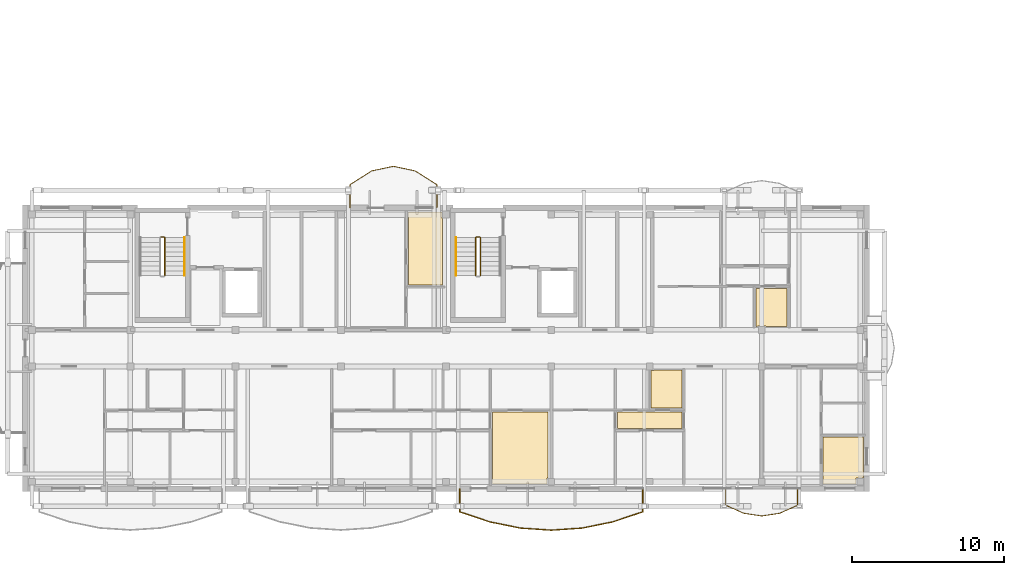
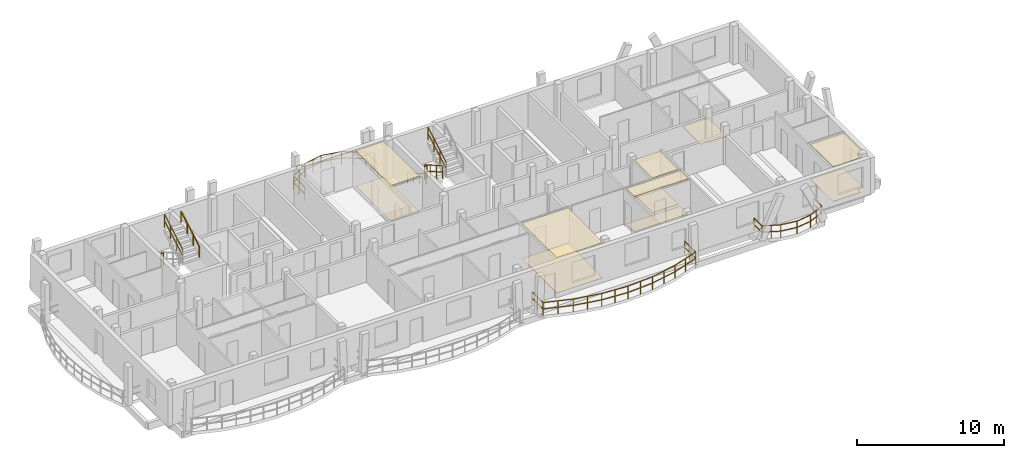
# One storey, part 34 of 41: 11 coverings, 10 railings.
"""IFC4 building model written with IfcOpenShell, lengths in metres."""

from ifc_helpers import new_model, si_unit, direction, frame, origin, origin_2d, place, context, subcontext, project, spatial, polyline, rectangle, outline, extrude, material, layer, layer_set, type_object, element, save


model = new_model("IFC4")

# Units and contexts
model_context = context("Model", 3, precision=1e-05, world=origin(), true_north=direction((0.0, 1.0)))
body_context = subcontext(model_context, "Body", "Model", "MODEL_VIEW")
ifc_project = project(units=[si_unit("LENGTHUNIT", "METRE"), si_unit("AREAUNIT", "SQUARE_METRE"), si_unit("VOLUMEUNIT", "CUBIC_METRE"), si_unit("PLANEANGLEUNIT", "RADIAN"), si_unit("MASSUNIT", "GRAM", prefix="KILO")], contexts=[model_context])

# Site, building, storey
site_placement = place(None, origin())
site = spatial("IfcSite", under=ifc_project, at=site_placement, CompositionType="ELEMENT")
building_placement = place(site_placement, origin())
building = spatial("IfcBuilding", under=site, at=building_placement, Name="Zavelmont Quarter", CompositionType="ELEMENT")
storey_placement = place(building_placement, frame((0.0, 0.0, 27.199951171875)))
storey = spatial("IfcBuildingStorey", under=building, at=storey_placement, Name="L08", CompositionType="ELEMENT", Elevation=27.199951171875)

# Coverings
ifc_material_1 = material(Name="Perforated acoustic gypsum board")
ifc_layer_1 = layer(ifc_material_1, 0.02490234375)
ifc_layer_set_1 = layer_set([ifc_layer_1], Name="Perforated acoustic gypsum board")
covering_type_1 = type_object("IfcCoveringType", Name="CV-CL01", PredefinedType="CEILING", material=ifc_layer_set_1)
covering_1_placement = place(storey_placement, frame((0.0, 0.0, 2.93505859375)))
element("IfcCovering", 1, at=covering_1_placement, inside=storey, type_object=covering_type_1, Name="L08 Master Bedroom acoustic ceiling", PredefinedType="CEILING", context=body_context, shape_type="SweptSolid", body=[
    extrude(outline(polyline([(30.6298828125, 5.02001953125), (34.27001953125, 5.02001953125), (34.27001953125, 0.705078125), (34.235107421875, 0.705078125), (34.235107421875, 0.280029296875), (30.6298828125, 0.280029296875), (30.6298828125, 5.02001953125)])), origin(), (0.0, 0.0, 1.0), 0.02490234375),
])
covering_2_placement = place(storey_placement, frame((0.0, 0.0, 2.885009765625)))
element("IfcCovering", 2, at=covering_2_placement, inside=storey, type_object=covering_type_1, Name="L08 Kitchen acoustic ceiling", PredefinedType="CEILING", context=body_context, shape_type="SweptSolid", body=[
    extrude(outline(polyline([(41.030029296875, 7.735107421875), (41.22509765625, 7.735107421875), (41.22509765625, 7.77001953125), (43.070068359375, 7.77001953125), (43.070068359375, 5.280029296875), (41.030029296875, 5.280029296875), (41.030029296875, 7.735107421875)])), origin(), (0.0, 0.0, 1.0), 0.025146484375),
])
covering_3_placement = place(storey_placement, frame((0.0, 0.0, 2.885009765625)))
element("IfcCovering", 3, at=covering_3_placement, inside=storey, type_object=covering_type_1, Name="L08 Single Bedroom acoustic ceiling", PredefinedType="CEILING", context=body_context, shape_type="SweptSolid", body=[
    extrude(outline(polyline([(52.330078125, 3.3701171875), (54.969970703125, 3.3701171875), (54.969970703125, 0.705078125), (54.4951171875, 0.705078125), (54.4951171875, 0.280029296875), (52.330078125, 0.280029296875), (52.330078125, 3.3701171875)])), origin(), (0.0, 0.0, 1.0), 0.025146484375),
])
covering_4_placement = place(storey_placement, frame((0.0, 0.0, 2.93505859375)))
element("IfcCovering", 4, at=covering_4_placement, inside=storey, type_object=covering_type_1, Name="L08 Reading Alcove acoustic ceiling", PredefinedType="CEILING", context=body_context, shape_type="SweptSolid", body=[
    extrude(outline(polyline([(25.1298828125, 18.1201171875), (27.3349609375, 18.1201171875), (27.3349609375, 17.695068359375), (27.3701171875, 17.695068359375), (27.3701171875, 13.330078125), (25.1298828125, 13.330078125), (25.1298828125, 18.1201171875)])), origin(), (0.0, 0.0, 1.0), 0.02490234375),
])
ifc_material_2 = material(Name="Slatted European ash acoustic baffle ceiling")
ifc_layer_2 = layer(ifc_material_2, 0.0400390625)
ifc_layer_set_2 = layer_set([ifc_layer_2], Name="Slatted European ash acoustic baffle ceiling")
covering_type_2 = type_object("IfcCoveringType", Name="CV-CL02", PredefinedType="CEILING", material=ifc_layer_set_2)
covering_5_placement = place(storey_placement, frame((0.0, 0.0, 2.920166015625)))
element("IfcCovering", 5, at=covering_5_placement, inside=storey, type_object=covering_type_2, Name="L08 Apartment Hall acoustic ceiling", PredefinedType="CEILING", context=body_context, shape_type="SweptSolid", body=[
    extrude(outline(polyline([(38.830078125, 5.02001953125), (43.070068359375, 5.02001953125), (43.070068359375, 3.929931640625), (38.830078125, 3.929931640625), (38.830078125, 5.02001953125)])), origin(), (0.0, 0.0, 1.0), 0.039794921875),
])
ifc_material_3 = material(Name="Engineered European oak parquet")
ifc_layer_3 = layer(ifc_material_3, 0.02197265625)
ifc_layer_set_3 = layer_set([ifc_layer_3], Name="Engineered European oak parquet")
covering_type_3 = type_object("IfcCoveringType", Name="CV-FL01", PredefinedType="FLOORING", material=ifc_layer_set_3)
covering_6_placement = place(storey_placement, origin())
element("IfcCovering", 6, at=covering_6_placement, inside=storey, type_object=covering_type_3, Name="L08 Master Bedroom floor finish", PredefinedType="FLOORING", context=body_context, shape_type="SweptSolid", body=[
    extrude(outline(polyline([(30.6298828125, 5.02001953125), (34.27001953125, 5.02001953125), (34.27001953125, 0.705078125), (34.235107421875, 0.705078125), (34.235107421875, 0.280029296875), (30.6298828125, 0.280029296875), (30.6298828125, 5.02001953125)])), origin(), (0.0, 0.0, 1.0), 0.02197265625),
])
covering_7_placement = place(storey_placement, origin())
element("IfcCovering", 7, at=covering_7_placement, inside=storey, type_object=covering_type_3, Name="L08 Kitchen floor finish", PredefinedType="FLOORING", context=body_context, shape_type="SweptSolid", body=[
    extrude(outline(polyline([(41.030029296875, 7.735107421875), (41.22509765625, 7.735107421875), (41.22509765625, 7.77001953125), (43.070068359375, 7.77001953125), (43.070068359375, 5.280029296875), (41.030029296875, 5.280029296875), (41.030029296875, 7.735107421875)])), origin(), (0.0, 0.0, 1.0), 0.02197265625),
])
covering_8_placement = place(storey_placement, origin())
element("IfcCovering", 8, at=covering_8_placement, inside=storey, type_object=covering_type_3, Name="L08 Single Bedroom floor finish", PredefinedType="FLOORING", context=body_context, shape_type="SweptSolid", body=[
    extrude(outline(polyline([(52.330078125, 3.3701171875), (54.969970703125, 3.3701171875), (54.969970703125, 0.705078125), (54.4951171875, 0.705078125), (54.4951171875, 0.280029296875), (52.330078125, 0.280029296875), (52.330078125, 3.3701171875)])), origin(), (0.0, 0.0, 1.0), 0.02197265625),
])
covering_9_placement = place(storey_placement, origin())
element("IfcCovering", 9, at=covering_9_placement, inside=storey, type_object=covering_type_3, Name="L08 Reading Alcove floor finish", PredefinedType="FLOORING", context=body_context, shape_type="SweptSolid", body=[
    extrude(outline(polyline([(25.1298828125, 18.1201171875), (27.3349609375, 18.1201171875), (27.3349609375, 17.695068359375), (27.3701171875, 17.695068359375), (27.3701171875, 13.330078125), (25.1298828125, 13.330078125), (25.1298828125, 18.1201171875)])), origin(), (0.0, 0.0, 1.0), 0.02197265625),
])
covering_10_placement = place(storey_placement, origin())
element("IfcCovering", 10, at=covering_10_placement, inside=storey, type_object=covering_type_3, Name="L08 Kitchen floor finish", PredefinedType="FLOORING", context=body_context, shape_type="SweptSolid", body=[
    extrude(outline(polyline([(47.929931640625, 13.1201171875), (49.969970703125, 13.1201171875), (49.969970703125, 10.6298828125), (48.56494140625, 10.6298828125), (48.56494140625, 10.6650390625), (48.034912109375, 10.6650390625), (48.034912109375, 10.6298828125), (47.929931640625, 10.6298828125), (47.929931640625, 13.1201171875)])), origin(), (0.0, 0.0, 1.0), 0.02197265625),
])
ifc_material_4 = material(Name="Honed Belgian bluestone tile", Category="masonry")
ifc_layer_4 = layer(ifc_material_4, 0.030029296875)
ifc_layer_set_4 = layer_set([ifc_layer_4], Name="Honed Belgian bluestone tile")
covering_type_4 = type_object("IfcCoveringType", Name="CV-FL02", PredefinedType="FLOORING", material=ifc_layer_set_4)
covering_11_placement = place(storey_placement, origin())
element("IfcCovering", 11, at=covering_11_placement, inside=storey, type_object=covering_type_4, Name="L08 Apartment Hall floor finish", PredefinedType="FLOORING", context=body_context, shape_type="SweptSolid", body=[
    extrude(outline(polyline([(38.830078125, 5.02001953125), (43.070068359375, 5.02001953125), (43.070068359375, 3.929931640625), (38.830078125, 3.929931640625), (38.830078125, 5.02001953125)])), origin(), (0.0, 0.0, 1.0), 0.030029296875),
])

# Railings
ifc_material_5 = material(Name="Powder-coated steel and tempered double safety glass", Category="steel")
railing_type_1 = type_object("IfcRailingType", Name="RL-BAL1", PredefinedType="BALUSTRADE", material=ifc_material_5)
railing_1_placement = place(storey_placement, frame((28.5, -0.02001953125, 0.0)))
element("IfcRailing", 12, at=railing_1_placement, inside=storey, type_object=railing_type_1, Name="L08 Block A curved balcony guard RL-BAL1", PredefinedType="BALUSTRADE", context=body_context, shape_type="SweptSolid", body=[
    extrude(rectangle(XDim=0.048095703125, YDim=0.048095703125, at=origin_2d()), frame((0.0, 0.0, 1.076171875), z_axis=(0.0, -1.0, 0.0), x_axis=(1.0, 0.0, 0.0)), (0.0, 0.0, 1.0), 1.510986328125),
    extrude(rectangle(XDim=0.048095703125, YDim=0.048095703125, at=origin_2d()), frame((0.0, 0.0, 0.550048828125), z_axis=(0.0, -1.0, 0.0), x_axis=(1.0, 0.0, 0.0)), (0.0, 0.0, 1.0), 1.510986328125),
    extrude(rectangle(XDim=0.048095703125, YDim=0.048095703125, at=origin_2d()), frame((0.0, -1.510986328125, 1.076171875), z_axis=(0.948463088057, -0.316887630861, 0.0), x_axis=(0.316887630861, 0.948463088057, 0.0)), (0.0, 0.0, 1.0), 2.108642578125),
    extrude(rectangle(XDim=0.048095703125, YDim=0.048095703125, at=origin_2d()), frame((0.0, -1.510986328125, 0.550048828125), z_axis=(0.948463088057, -0.316887630861, 0.0), x_axis=(0.316887630861, 0.948463088057, 0.0)), (0.0, 0.0, 1.0), 2.108642578125),
    extrude(rectangle(XDim=0.048095703125, YDim=0.048095703125, at=origin_2d()), frame((2.0, -2.17919921875, 1.076171875), z_axis=(0.980474655965, -0.196645490692, 0.0), x_axis=(0.196645490692, 0.980474655965, 0.0)), (0.0, 0.0, 1.0), 2.039794921875),
    extrude(rectangle(XDim=0.048095703125, YDim=0.048095703125, at=origin_2d()), frame((2.0, -2.17919921875, 0.550048828125), z_axis=(0.980474655965, -0.196645490692, 0.0), x_axis=(0.196645490692, 0.980474655965, 0.0)), (0.0, 0.0, 1.0), 2.039794921875),
    extrude(rectangle(XDim=0.048095703125, YDim=0.048095703125, at=origin_2d()), frame((4.0, -2.580322265625, 1.076171875), z_axis=(0.99777814618, -0.06662410229, 0.0), x_axis=(0.06662410229, 0.99777814618, 0.0)), (0.0, 0.0, 1.0), 2.00439453125),
    extrude(rectangle(XDim=0.048095703125, YDim=0.048095703125, at=origin_2d()), frame((4.0, -2.580322265625, 0.550048828125), z_axis=(0.99777814618, -0.06662410229, 0.0), x_axis=(0.06662410229, 0.99777814618, 0.0)), (0.0, 0.0, 1.0), 2.00439453125),
    extrude(rectangle(XDim=0.048095703125, YDim=0.048095703125, at=origin_2d()), frame((6.0, -2.7138671875, 1.076171875), z_axis=(0.99777814618, 0.06662410229, 0.0), x_axis=(-0.06662410229, 0.99777814618, 0.0)), (0.0, 0.0, 1.0), 2.00439453125),
    extrude(rectangle(XDim=0.048095703125, YDim=0.048095703125, at=origin_2d()), frame((6.0, -2.7138671875, 0.550048828125), z_axis=(0.99777814618, 0.06662410229, 0.0), x_axis=(-0.06662410229, 0.99777814618, 0.0)), (0.0, 0.0, 1.0), 2.00439453125),
    extrude(rectangle(XDim=0.048095703125, YDim=0.048095703125, at=origin_2d()), frame((8.0, -2.580322265625, 1.076171875), z_axis=(0.980474655965, 0.196645490692, 0.0), x_axis=(-0.196645490692, 0.980474655965, 0.0)), (0.0, 0.0, 1.0), 2.039794921875),
    extrude(rectangle(XDim=0.048095703125, YDim=0.048095703125, at=origin_2d()), frame((8.0, -2.580322265625, 0.550048828125), z_axis=(0.980474655965, 0.196645490692, 0.0), x_axis=(-0.196645490692, 0.980474655965, 0.0)), (0.0, 0.0, 1.0), 2.039794921875),
    extrude(rectangle(XDim=0.048095703125, YDim=0.048095703125, at=origin_2d()), frame((10.0, -2.17919921875, 1.076171875), z_axis=(0.948463088057, 0.316887630861, 0.0), x_axis=(-0.316887630861, 0.948463088057, 0.0)), (0.0, 0.0, 1.0), 2.108642578125),
    extrude(rectangle(XDim=0.048095703125, YDim=0.048095703125, at=origin_2d()), frame((10.0, -2.17919921875, 0.550048828125), z_axis=(0.948463088057, 0.316887630861, 0.0), x_axis=(-0.316887630861, 0.948463088057, 0.0)), (0.0, 0.0, 1.0), 2.108642578125),
    extrude(rectangle(XDim=0.048095703125, YDim=0.048095703125, at=origin_2d()), frame((12.0, -1.510986328125, 1.076171875), z_axis=(0.0, 1.0, 0.0), x_axis=(-1.0, 0.0, 0.0)), (0.0, 0.0, 1.0), 1.510986328125),
    extrude(rectangle(XDim=0.048095703125, YDim=0.048095703125, at=origin_2d()), frame((12.0, -1.510986328125, 0.550048828125), z_axis=(0.0, 1.0, 0.0), x_axis=(-1.0, 0.0, 0.0)), (0.0, 0.0, 1.0), 1.510986328125),
    extrude(rectangle(XDim=0.0419921875, YDim=0.0419921875, at=origin_2d()), origin(), (0.0, 0.0, 1.0), 1.052001953125),
    extrude(rectangle(XDim=0.0419921875, YDim=0.0419921875, at=origin_2d()), frame((0.0, -0.75537109375, 0.0)), (0.0, 0.0, 1.0), 1.052001953125),
    extrude(rectangle(XDim=0.0419921875, YDim=0.0419921875, at=origin_2d()), frame((0.0, -1.510986328125, 0.0)), (0.0, 0.0, 1.0), 1.052001953125),
    extrude(rectangle(XDim=0.0419921875, YDim=0.0419921875, at=origin_2d()), frame((1.0, -1.84521484375, 0.0)), (0.0, 0.0, 1.0), 1.052001953125),
    extrude(rectangle(XDim=0.0419921875, YDim=0.0419921875, at=origin_2d()), frame((2.0, -2.17919921875, 0.0)), (0.0, 0.0, 1.0), 1.052001953125),
    extrude(rectangle(XDim=0.0419921875, YDim=0.0419921875, at=origin_2d()), frame((3.0, -2.3798828125, 0.0)), (0.0, 0.0, 1.0), 1.052001953125),
    extrude(rectangle(XDim=0.0419921875, YDim=0.0419921875, at=origin_2d()), frame((4.0, -2.580322265625, 0.0)), (0.0, 0.0, 1.0), 1.052001953125),
    extrude(rectangle(XDim=0.0419921875, YDim=0.0419921875, at=origin_2d()), frame((5.0, -2.64697265625, 0.0)), (0.0, 0.0, 1.0), 1.052001953125),
    extrude(rectangle(XDim=0.0419921875, YDim=0.0419921875, at=origin_2d()), frame((6.0, -2.7138671875, 0.0)), (0.0, 0.0, 1.0), 1.052001953125),
    extrude(rectangle(XDim=0.0419921875, YDim=0.0419921875, at=origin_2d()), frame((7.0, -2.64697265625, 0.0)), (0.0, 0.0, 1.0), 1.052001953125),
    extrude(rectangle(XDim=0.0419921875, YDim=0.0419921875, at=origin_2d()), frame((8.0, -2.580322265625, 0.0)), (0.0, 0.0, 1.0), 1.052001953125),
    extrude(rectangle(XDim=0.0419921875, YDim=0.0419921875, at=origin_2d()), frame((9.0, -2.3798828125, 0.0)), (0.0, 0.0, 1.0), 1.052001953125),
    extrude(rectangle(XDim=0.0419921875, YDim=0.0419921875, at=origin_2d()), frame((10.0, -2.17919921875, 0.0)), (0.0, 0.0, 1.0), 1.052001953125),
    extrude(rectangle(XDim=0.0419921875, YDim=0.0419921875, at=origin_2d()), frame((11.0, -1.84521484375, 0.0)), (0.0, 0.0, 1.0), 1.052001953125),
    extrude(rectangle(XDim=0.0419921875, YDim=0.0419921875, at=origin_2d()), frame((12.0, -1.510986328125, 0.0)), (0.0, 0.0, 1.0), 1.052001953125),
    extrude(rectangle(XDim=0.0419921875, YDim=0.0419921875, at=origin_2d()), frame((12.0, -0.75537109375, 0.0)), (0.0, 0.0, 1.0), 1.052001953125),
    extrude(rectangle(XDim=0.0419921875, YDim=0.0419921875, at=origin_2d()), frame((12.0, 0.0, 0.0)), (0.0, 0.0, 1.0), 1.052001953125),
])
railing_2_placement = place(storey_placement, frame((45.947265625, -0.02001953125, 0.0)))
element("IfcRailing", 13, at=railing_2_placement, inside=storey, type_object=railing_type_1, Name="L08 Block A curved balcony guard RL-BAL1", PredefinedType="BALUSTRADE", context=body_context, shape_type="SweptSolid", body=[
    extrude(rectangle(XDim=0.048095703125, YDim=0.048095703125, at=origin_2d()), frame((0.0, 0.0, 1.076171875), z_axis=(0.0, -1.0, 0.0), x_axis=(1.0, 0.0, 0.0)), (0.0, 0.0, 1.0), 1.080078125),
    extrude(rectangle(XDim=0.048095703125, YDim=0.048095703125, at=origin_2d()), frame((0.0, 0.0, 0.550048828125), z_axis=(0.0, -1.0, 0.0), x_axis=(1.0, 0.0, 0.0)), (0.0, 0.0, 1.0), 1.080078125),
    extrude(rectangle(XDim=0.048095703125, YDim=0.048095703125, at=origin_2d()), frame((0.0, -1.080078125, 1.076171875), z_axis=(0.912141000851, -0.409876560158, 0.0), x_axis=(0.409876560158, 0.912141000851, 0.0)), (0.0, 0.0, 1.0), 1.28955078125),
    extrude(rectangle(XDim=0.048095703125, YDim=0.048095703125, at=origin_2d()), frame((0.0, -1.080078125, 0.550048828125), z_axis=(0.912141000851, -0.409876560158, 0.0), x_axis=(0.409876560158, 0.912141000851, 0.0)), (0.0, 0.0, 1.0), 1.28955078125),
    extrude(rectangle(XDim=0.048095703125, YDim=0.048095703125, at=origin_2d()), frame((1.17626953125, -1.608642578125, 1.076171875), z_axis=(0.988961928108, -0.148169851026, 0.0), x_axis=(0.148169851026, 0.988961928108, 0.0)), (0.0, 0.0, 1.0), 1.189697265625),
    extrude(rectangle(XDim=0.048095703125, YDim=0.048095703125, at=origin_2d()), frame((1.17626953125, -1.608642578125, 0.550048828125), z_axis=(0.988961928108, -0.148169851026, 0.0), x_axis=(0.148169851026, 0.988961928108, 0.0)), (0.0, 0.0, 1.0), 1.189697265625),
    extrude(rectangle(XDim=0.048095703125, YDim=0.048095703125, at=origin_2d()), frame((2.352783203125, -1.784912109375, 1.076171875), z_axis=(0.988957421243, 0.148199929045, 0.0), x_axis=(-0.148199929045, 0.988957421243, 0.0)), (0.0, 0.0, 1.0), 1.189453125),
    extrude(rectangle(XDim=0.048095703125, YDim=0.048095703125, at=origin_2d()), frame((2.352783203125, -1.784912109375, 0.550048828125), z_axis=(0.988957421243, 0.148199929045, 0.0), x_axis=(-0.148199929045, 0.988957421243, 0.0)), (0.0, 0.0, 1.0), 1.189453125),
    extrude(rectangle(XDim=0.048095703125, YDim=0.048095703125, at=origin_2d()), frame((3.529052734375, -1.608642578125, 1.076171875), z_axis=(0.912141000851, 0.409876560158, 0.0), x_axis=(-0.409876560158, 0.912141000851, 0.0)), (0.0, 0.0, 1.0), 1.28955078125),
    extrude(rectangle(XDim=0.048095703125, YDim=0.048095703125, at=origin_2d()), frame((3.529052734375, -1.608642578125, 0.550048828125), z_axis=(0.912141000851, 0.409876560158, 0.0), x_axis=(-0.409876560158, 0.912141000851, 0.0)), (0.0, 0.0, 1.0), 1.28955078125),
    extrude(rectangle(XDim=0.048095703125, YDim=0.048095703125, at=origin_2d()), frame((4.705322265625, -1.080078125, 1.076171875), z_axis=(0.0, 1.0, 0.0), x_axis=(-1.0, 0.0, 0.0)), (0.0, 0.0, 1.0), 1.080078125),
    extrude(rectangle(XDim=0.048095703125, YDim=0.048095703125, at=origin_2d()), frame((4.705322265625, -1.080078125, 0.550048828125), z_axis=(0.0, 1.0, 0.0), x_axis=(-1.0, 0.0, 0.0)), (0.0, 0.0, 1.0), 1.080078125),
    extrude(rectangle(XDim=0.0419921875, YDim=0.0419921875, at=origin_2d()), origin(), (0.0, 0.0, 1.0), 1.052001953125),
    extrude(rectangle(XDim=0.0419921875, YDim=0.0419921875, at=origin_2d()), frame((0.0, -1.080078125, 0.0)), (0.0, 0.0, 1.0), 1.052001953125),
    extrude(rectangle(XDim=0.0419921875, YDim=0.0419921875, at=origin_2d()), frame((0.588134765625, -1.34423828125, 0.0)), (0.0, 0.0, 1.0), 1.052001953125),
    extrude(rectangle(XDim=0.0419921875, YDim=0.0419921875, at=origin_2d()), frame((1.17626953125, -1.608642578125, 0.0)), (0.0, 0.0, 1.0), 1.052001953125),
    extrude(rectangle(XDim=0.0419921875, YDim=0.0419921875, at=origin_2d()), frame((2.352783203125, -1.784912109375, 0.0)), (0.0, 0.0, 1.0), 1.052001953125),
    extrude(rectangle(XDim=0.0419921875, YDim=0.0419921875, at=origin_2d()), frame((3.529052734375, -1.608642578125, 0.0)), (0.0, 0.0, 1.0), 1.052001953125),
    extrude(rectangle(XDim=0.0419921875, YDim=0.0419921875, at=origin_2d()), frame((4.1171875, -1.34423828125, 0.0)), (0.0, 0.0, 1.0), 1.052001953125),
    extrude(rectangle(XDim=0.0419921875, YDim=0.0419921875, at=origin_2d()), frame((4.705322265625, -1.080078125, 0.0)), (0.0, 0.0, 1.0), 1.052001953125),
    extrude(rectangle(XDim=0.0419921875, YDim=0.0419921875, at=origin_2d()), frame((4.705322265625, 0.0, 0.0)), (0.0, 0.0, 1.0), 1.052001953125),
])
railing_3_placement = place(storey_placement, frame((27.0, 18.419921875, 0.0)))
element("IfcRailing", 14, at=railing_3_placement, inside=storey, type_object=railing_type_1, Name="L08 Block A curved balcony guard RL-BAL1", PredefinedType="BALUSTRADE", context=body_context, shape_type="SweptSolid", body=[
    extrude(rectangle(XDim=0.048095703125, YDim=0.048095703125, at=origin_2d()), frame((0.0, 0.0, 1.076171875), z_axis=(0.0, 1.0, 0.0), x_axis=(-1.0, 0.0, 0.0)), (0.0, 0.0, 1.0), 1.510986328125),
    extrude(rectangle(XDim=0.048095703125, YDim=0.048095703125, at=origin_2d()), frame((0.0, 0.0, 0.550048828125), z_axis=(0.0, 1.0, 0.0), x_axis=(-1.0, 0.0, 0.0)), (0.0, 0.0, 1.0), 1.510986328125),
    extrude(rectangle(XDim=0.048095703125, YDim=0.048095703125, at=origin_2d()), frame((0.0, 1.510986328125, 1.076171875), z_axis=(-0.844869232838, 0.53497287726, 0.0), x_axis=(-0.53497287726, -0.844869232838, 0.0)), (0.0, 0.0, 1.0), 1.686767578125),
    extrude(rectangle(XDim=0.048095703125, YDim=0.048095703125, at=origin_2d()), frame((0.0, 1.510986328125, 0.550048828125), z_axis=(-0.844869232838, 0.53497287726, 0.0), x_axis=(-0.53497287726, -0.844869232838, 0.0)), (0.0, 0.0, 1.0), 1.686767578125),
    extrude(rectangle(XDim=0.048095703125, YDim=0.048095703125, at=origin_2d()), frame((-1.425048828125, 2.413330078125, 1.076171875), z_axis=(-0.978442941104, 0.206517338263, 0.0), x_axis=(-0.206517338263, -0.978442941104, 0.0)), (0.0, 0.0, 1.0), 1.45654296875),
    extrude(rectangle(XDim=0.048095703125, YDim=0.048095703125, at=origin_2d()), frame((-1.425048828125, 2.413330078125, 0.550048828125), z_axis=(-0.978442941104, 0.206517338263, 0.0), x_axis=(-0.206517338263, -0.978442941104, 0.0)), (0.0, 0.0, 1.0), 1.45654296875),
    extrude(rectangle(XDim=0.048095703125, YDim=0.048095703125, at=origin_2d()), frame((-2.85009765625, 2.714111328125, 1.076171875), z_axis=(-0.978435790122, -0.206551215461, 0.0), x_axis=(0.206551215461, -0.978435790122, 0.0)), (0.0, 0.0, 1.0), 1.456298828125),
    extrude(rectangle(XDim=0.048095703125, YDim=0.048095703125, at=origin_2d()), frame((-2.85009765625, 2.714111328125, 0.550048828125), z_axis=(-0.978435790122, -0.206551215461, 0.0), x_axis=(0.206551215461, -0.978435790122, 0.0)), (0.0, 0.0, 1.0), 1.456298828125),
    extrude(rectangle(XDim=0.048095703125, YDim=0.048095703125, at=origin_2d()), frame((-4.27490234375, 2.413330078125, 1.076171875), z_axis=(-0.844869232838, -0.53497287726, 0.0), x_axis=(0.53497287726, -0.844869232838, 0.0)), (0.0, 0.0, 1.0), 1.686767578125),
    extrude(rectangle(XDim=0.048095703125, YDim=0.048095703125, at=origin_2d()), frame((-4.27490234375, 2.413330078125, 0.550048828125), z_axis=(-0.844869232838, -0.53497287726, 0.0), x_axis=(0.53497287726, -0.844869232838, 0.0)), (0.0, 0.0, 1.0), 1.686767578125),
    extrude(rectangle(XDim=0.048095703125, YDim=0.048095703125, at=origin_2d()), frame((-5.699951171875, 1.510986328125, 1.076171875), z_axis=(0.0, -1.0, 0.0), x_axis=(1.0, 0.0, 0.0)), (0.0, 0.0, 1.0), 1.510986328125),
    extrude(rectangle(XDim=0.048095703125, YDim=0.048095703125, at=origin_2d()), frame((-5.699951171875, 1.510986328125, 0.550048828125), z_axis=(0.0, -1.0, 0.0), x_axis=(1.0, 0.0, 0.0)), (0.0, 0.0, 1.0), 1.510986328125),
    extrude(rectangle(XDim=0.0419921875, YDim=0.0419921875, at=origin_2d()), origin(), (0.0, 0.0, 1.0), 1.052001953125),
    extrude(rectangle(XDim=0.0419921875, YDim=0.0419921875, at=origin_2d()), frame((0.0, 0.75537109375, 0.0)), (0.0, 0.0, 1.0), 1.052001953125),
    extrude(rectangle(XDim=0.0419921875, YDim=0.0419921875, at=origin_2d()), frame((0.0, 1.510986328125, 0.0)), (0.0, 0.0, 1.0), 1.052001953125),
    extrude(rectangle(XDim=0.0419921875, YDim=0.0419921875, at=origin_2d()), frame((-0.71240234375, 1.962158203125, 0.0)), (0.0, 0.0, 1.0), 1.052001953125),
    extrude(rectangle(XDim=0.0419921875, YDim=0.0419921875, at=origin_2d()), frame((-1.425048828125, 2.413330078125, 0.0)), (0.0, 0.0, 1.0), 1.052001953125),
    extrude(rectangle(XDim=0.0419921875, YDim=0.0419921875, at=origin_2d()), frame((-2.1376953125, 2.563720703125, 0.0)), (0.0, 0.0, 1.0), 1.052001953125),
    extrude(rectangle(XDim=0.0419921875, YDim=0.0419921875, at=origin_2d()), frame((-2.85009765625, 2.714111328125, 0.0)), (0.0, 0.0, 1.0), 1.052001953125),
    extrude(rectangle(XDim=0.0419921875, YDim=0.0419921875, at=origin_2d()), frame((-3.5625, 2.563720703125, 0.0)), (0.0, 0.0, 1.0), 1.052001953125),
    extrude(rectangle(XDim=0.0419921875, YDim=0.0419921875, at=origin_2d()), frame((-4.27490234375, 2.413330078125, 0.0)), (0.0, 0.0, 1.0), 1.052001953125),
    extrude(rectangle(XDim=0.0419921875, YDim=0.0419921875, at=origin_2d()), frame((-4.9873046875, 1.962158203125, 0.0)), (0.0, 0.0, 1.0), 1.052001953125),
    extrude(rectangle(XDim=0.0419921875, YDim=0.0419921875, at=origin_2d()), frame((-5.699951171875, 1.510986328125, 0.0)), (0.0, 0.0, 1.0), 1.052001953125),
    extrude(rectangle(XDim=0.0419921875, YDim=0.0419921875, at=origin_2d()), frame((-5.699951171875, 0.75537109375, 0.0)), (0.0, 0.0, 1.0), 1.052001953125),
    extrude(rectangle(XDim=0.0419921875, YDim=0.0419921875, at=origin_2d()), frame((-5.699951171875, 0.0, 0.0)), (0.0, 0.0, 1.0), 1.052001953125),
])
ifc_material_6 = material(Name="Powder-coated steel stair guardrail", Category="steel")
railing_type_2 = type_object("IfcRailingType", Name="RL-GRD1", PredefinedType="GUARDRAIL", material=ifc_material_6)
railing_4_placement = place(storey_placement, frame((9.14990234375, 13.969970703125, 1.77783203125)))
element("IfcRailing", 15, at=railing_4_placement, inside=storey, type_object=railing_type_2, Name="L08 ST01 stair guardrail 3", PredefinedType="GUARDRAIL", context=body_context, shape_type="SweptSolid", body=[
    extrude(rectangle(XDim=0.048095703125, YDim=0.048095703125, at=origin_2d()), frame((0.0, 0.0, 1.076171875), z_axis=(0.0, 0.867490628297, 0.497453525283), x_axis=(-1.0, 0.0, 0.0)), (0.0, 0.0, 1.0), 2.85888671875),
    extrude(rectangle(XDim=0.048095703125, YDim=0.048095703125, at=origin_2d()), frame((0.0, 0.0, 0.550048828125), z_axis=(0.0, 0.867490628297, 0.497453525283), x_axis=(-1.0, 0.0, 0.0)), (0.0, 0.0, 1.0), 2.85888671875),
    extrude(rectangle(XDim=0.0419921875, YDim=0.0419921875, at=origin_2d()), origin(), (0.0, 0.0, 1.0), 1.052001953125),
    extrude(rectangle(XDim=0.0419921875, YDim=0.0419921875, at=origin_2d()), frame((0.0, 0.82666015625, 0.47412109375)), (0.0, 0.0, 1.0), 1.052001953125),
    extrude(rectangle(XDim=0.0419921875, YDim=0.0419921875, at=origin_2d()), frame((0.0, 1.6533203125, 0.947998046875)), (0.0, 0.0, 1.0), 1.052001953125),
    extrude(rectangle(XDim=0.0419921875, YDim=0.0419921875, at=origin_2d()), frame((0.0, 2.47998046875, 1.422119140625)), (0.0, 0.0, 1.0), 1.052001953125),
])
railing_5_placement = place(storey_placement, frame((8.89990234375, 16.5, 0.0)))
element("IfcRailing", 16, at=railing_5_placement, inside=storey, type_object=railing_type_2, Name="L08 ST01 stair guardrail 4", PredefinedType="GUARDRAIL", context=body_context, shape_type="SweptSolid", body=[
    extrude(rectangle(XDim=0.048095703125, YDim=0.048095703125, at=origin_2d()), frame((0.0, 0.0, 1.076171875), z_axis=(1.0, 0.0, 0.0), x_axis=(0.0, 1.0, 0.0)), (0.0, 0.0, 1.0), 0.2001953125),
    extrude(rectangle(XDim=0.048095703125, YDim=0.048095703125, at=origin_2d()), frame((0.0, 0.0, 0.550048828125), z_axis=(1.0, 0.0, 0.0), x_axis=(0.0, 1.0, 0.0)), (0.0, 0.0, 1.0), 0.2001953125),
    extrude(rectangle(XDim=0.0419921875, YDim=0.0419921875, at=origin_2d()), origin(), (0.0, 0.0, 1.0), 1.052001953125),
    extrude(rectangle(XDim=0.0419921875, YDim=0.0419921875, at=origin_2d()), frame((0.2001953125, 0.0, 0.0)), (0.0, 0.0, 1.0), 1.052001953125),
])
railing_6_placement = place(storey_placement, frame((29.550048828125, 16.449951171875, 0.177734375)))
element("IfcRailing", 17, at=railing_6_placement, inside=storey, type_object=railing_type_2, Name="L08 ST02 stair guardrail 1", PredefinedType="GUARDRAIL", context=body_context, shape_type="SweptSolid", body=[
    extrude(rectangle(XDim=0.048095703125, YDim=0.048095703125, at=origin_2d()), frame((0.0, 0.0, 1.076171875), z_axis=(0.0, -0.867453774394, 0.497517787913), x_axis=(1.0, 0.0, 0.0)), (0.0, 0.0, 1.0), 2.85888671875),
    extrude(rectangle(XDim=0.048095703125, YDim=0.048095703125, at=origin_2d()), frame((0.0, 0.0, 0.550048828125), z_axis=(0.0, -0.867453774394, 0.497517787913), x_axis=(1.0, 0.0, 0.0)), (0.0, 0.0, 1.0), 2.85888671875),
    extrude(rectangle(XDim=0.0419921875, YDim=0.0419921875, at=origin_2d()), origin(), (0.0, 0.0, 1.0), 1.052001953125),
    extrude(rectangle(XDim=0.0419921875, YDim=0.0419921875, at=origin_2d()), frame((0.0, -0.82666015625, 0.47412109375)), (0.0, 0.0, 1.0), 1.052001953125),
    extrude(rectangle(XDim=0.0419921875, YDim=0.0419921875, at=origin_2d()), frame((0.0, -1.6533203125, 0.9482421875)), (0.0, 0.0, 1.0), 1.052001953125),
    extrude(rectangle(XDim=0.0419921875, YDim=0.0419921875, at=origin_2d()), frame((0.0, -2.47998046875, 1.42236328125)), (0.0, 0.0, 1.0), 1.052001953125),
])
railing_7_placement = place(storey_placement, frame((29.85009765625, 13.969970703125, 1.77783203125)))
element("IfcRailing", 18, at=railing_7_placement, inside=storey, type_object=railing_type_2, Name="L08 ST02 stair guardrail 3", PredefinedType="GUARDRAIL", context=body_context, shape_type="SweptSolid", body=[
    extrude(rectangle(XDim=0.048095703125, YDim=0.048095703125, at=origin_2d()), frame((0.0, 0.0, 1.076171875), z_axis=(0.0, 0.867490628297, 0.497453525283), x_axis=(-1.0, 0.0, 0.0)), (0.0, 0.0, 1.0), 2.85888671875),
    extrude(rectangle(XDim=0.048095703125, YDim=0.048095703125, at=origin_2d()), frame((0.0, 0.0, 0.550048828125), z_axis=(0.0, 0.867490628297, 0.497453525283), x_axis=(-1.0, 0.0, 0.0)), (0.0, 0.0, 1.0), 2.85888671875),
    extrude(rectangle(XDim=0.0419921875, YDim=0.0419921875, at=origin_2d()), origin(), (0.0, 0.0, 1.0), 1.052001953125),
    extrude(rectangle(XDim=0.0419921875, YDim=0.0419921875, at=origin_2d()), frame((0.0, 0.82666015625, 0.47412109375)), (0.0, 0.0, 1.0), 1.052001953125),
    extrude(rectangle(XDim=0.0419921875, YDim=0.0419921875, at=origin_2d()), frame((0.0, 1.6533203125, 0.947998046875)), (0.0, 0.0, 1.0), 1.052001953125),
    extrude(rectangle(XDim=0.0419921875, YDim=0.0419921875, at=origin_2d()), frame((0.0, 2.47998046875, 1.422119140625)), (0.0, 0.0, 1.0), 1.052001953125),
])
railing_8_placement = place(storey_placement, frame((29.60009765625, 16.5, 0.0)))
element("IfcRailing", 19, at=railing_8_placement, inside=storey, type_object=railing_type_2, Name="L08 ST02 stair guardrail 4", PredefinedType="GUARDRAIL", context=body_context, shape_type="SweptSolid", body=[
    extrude(rectangle(XDim=0.048095703125, YDim=0.048095703125, at=origin_2d()), frame((0.0, 0.0, 1.076171875), z_axis=(1.0, 0.0, 0.0), x_axis=(0.0, 1.0, 0.0)), (0.0, 0.0, 1.0), 0.199951171875),
    extrude(rectangle(XDim=0.048095703125, YDim=0.048095703125, at=origin_2d()), frame((0.0, 0.0, 0.550048828125), z_axis=(1.0, 0.0, 0.0), x_axis=(0.0, 1.0, 0.0)), (0.0, 0.0, 1.0), 0.199951171875),
    extrude(rectangle(XDim=0.0419921875, YDim=0.0419921875, at=origin_2d()), origin(), (0.0, 0.0, 1.0), 1.052001953125),
    extrude(rectangle(XDim=0.0419921875, YDim=0.0419921875, at=origin_2d()), frame((0.199951171875, 0.0, 0.0)), (0.0, 0.0, 1.0), 1.052001953125),
])
ifc_material_7 = material(Name="Brushed stainless-steel wall handrail", Category="steel")
railing_type_3 = type_object("IfcRailingType", Name="RL-HND1", PredefinedType="HANDRAIL", material=ifc_material_7)
railing_9_placement = place(storey_placement, frame((10.449951171875, 13.969970703125, 1.77783203125)))
element("IfcRailing", 20, at=railing_9_placement, inside=storey, type_object=railing_type_3, Name="L08 ST01 stair handrail 2", PredefinedType="HANDRAIL", context=body_context, shape_type="SweptSolid", body=[
    extrude(rectangle(XDim=0.048095703125, YDim=0.048095703125, at=origin_2d()), frame((0.0, 0.0, 0.8759765625), z_axis=(0.0, 0.867490628297, 0.497453525283), x_axis=(-1.0, 0.0, 0.0)), (0.0, 0.0, 1.0), 2.85888671875),
    extrude(rectangle(XDim=0.0419921875, YDim=0.0419921875, at=origin_2d()), origin(), (0.0, 0.0, 1.0), 0.851806640625),
    extrude(rectangle(XDim=0.0419921875, YDim=0.0419921875, at=origin_2d()), frame((0.0, 0.82666015625, 0.47412109375)), (0.0, 0.0, 1.0), 0.851806640625),
    extrude(rectangle(XDim=0.0419921875, YDim=0.0419921875, at=origin_2d()), frame((0.0, 1.6533203125, 0.947998046875)), (0.0, 0.0, 1.0), 0.851806640625),
    extrude(rectangle(XDim=0.0419921875, YDim=0.0419921875, at=origin_2d()), frame((0.0, 2.47998046875, 1.422119140625)), (0.0, 0.0, 1.0), 0.851806640625),
])
railing_10_placement = place(storey_placement, frame((28.25, 16.449951171875, 0.177734375)))
element("IfcRailing", 21, at=railing_10_placement, inside=storey, type_object=railing_type_3, Name="L08 ST02 stair handrail 1", PredefinedType="HANDRAIL", context=body_context, shape_type="SweptSolid", body=[
    extrude(rectangle(XDim=0.048095703125, YDim=0.048095703125, at=origin_2d()), frame((0.0, 0.0, 0.8759765625), z_axis=(0.0, -0.867453774394, 0.497517787913), x_axis=(1.0, 0.0, 0.0)), (0.0, 0.0, 1.0), 2.85888671875),
    extrude(rectangle(XDim=0.0419921875, YDim=0.0419921875, at=origin_2d()), origin(), (0.0, 0.0, 1.0), 0.851806640625),
    extrude(rectangle(XDim=0.0419921875, YDim=0.0419921875, at=origin_2d()), frame((0.0, -0.82666015625, 0.47412109375)), (0.0, 0.0, 1.0), 0.851806640625),
    extrude(rectangle(XDim=0.0419921875, YDim=0.0419921875, at=origin_2d()), frame((0.0, -1.6533203125, 0.9482421875)), (0.0, 0.0, 1.0), 0.851806640625),
    extrude(rectangle(XDim=0.0419921875, YDim=0.0419921875, at=origin_2d()), frame((0.0, -2.47998046875, 1.42236328125)), (0.0, 0.0, 1.0), 0.851806640625),
])

save(model, "model.ifc")
